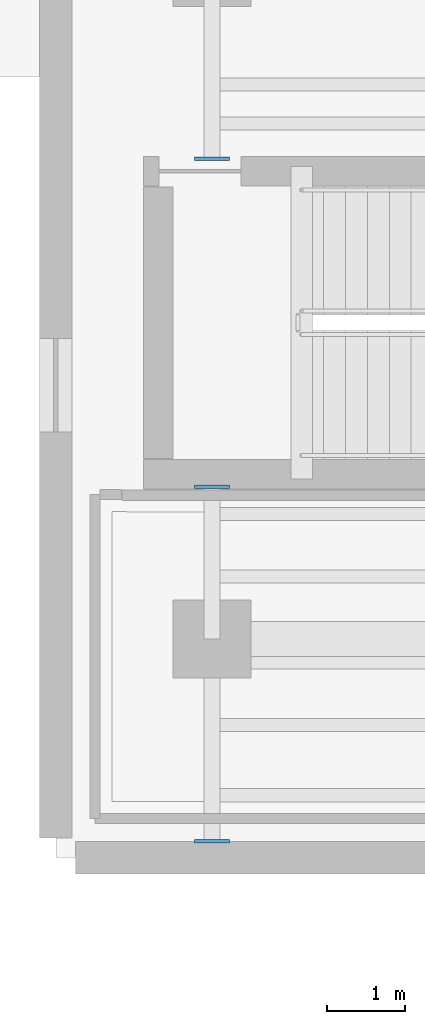
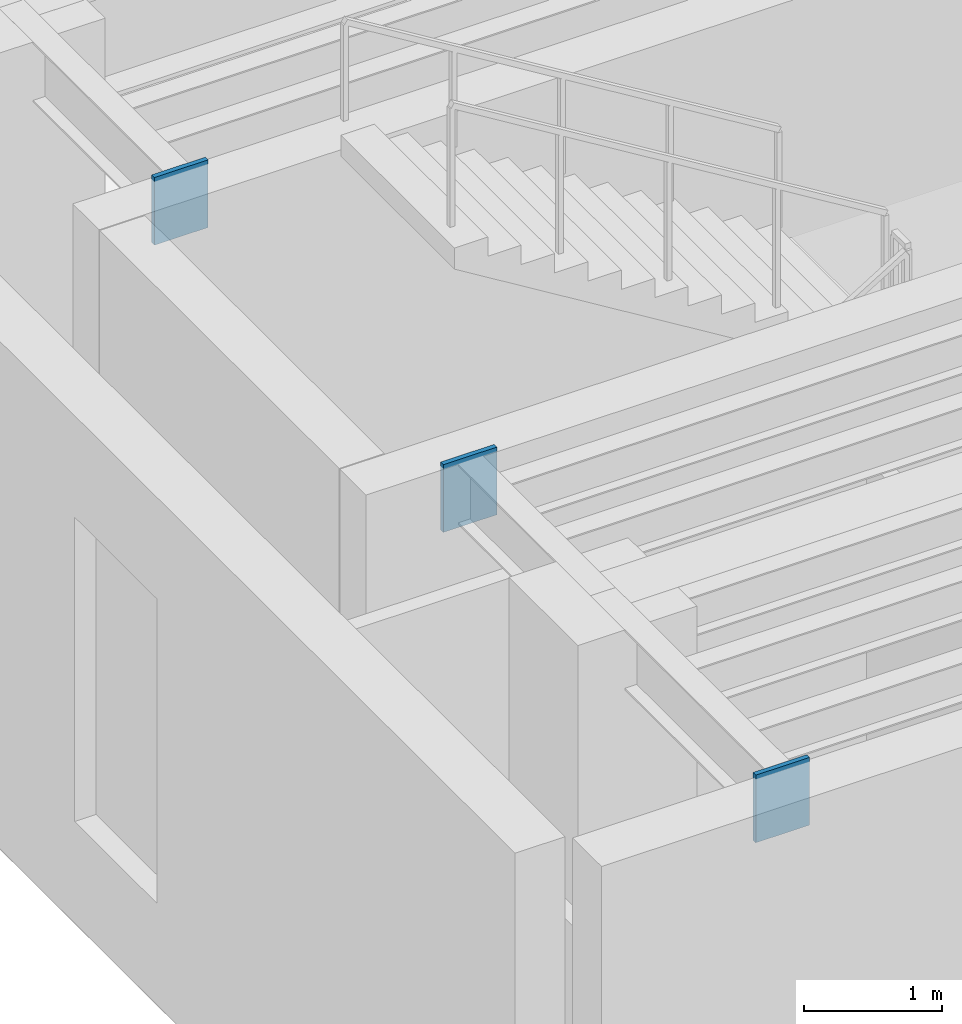
# One storey, part 12 of 24: 3 plates.
"""IFC4 building model written with IfcOpenShell, lengths in metres."""

from ifc_helpers import new_model, si_unit, direction, frame, origin, origin_2d, place, context, subcontext, project, spatial, rectangle, extrude, material, layer, layer_set, type_object, element, save


model = new_model("IFC4")

# Units and contexts
model_context = context("Model", 3, precision=1e-05, world=origin(), true_north=direction((0.0, 1.0)))
body_context = subcontext(model_context, "Body", "Model", "MODEL_VIEW")
ifc_project = project(units=[si_unit("LENGTHUNIT", "METRE"), si_unit("AREAUNIT", "SQUARE_METRE"), si_unit("VOLUMEUNIT", "CUBIC_METRE"), si_unit("PLANEANGLEUNIT", "RADIAN"), si_unit("MASSUNIT", "GRAM", prefix="KILO")], contexts=[model_context])

# Site, building, storey
site_placement = place(None, origin())
site = spatial("IfcSite", under=ifc_project, at=site_placement, CompositionType="ELEMENT")
building_placement = place(site_placement, origin())
building = spatial("IfcBuilding", under=site, at=building_placement, Name="Korentha Bioscience Tower", CompositionType="ELEMENT")
storey_placement = place(building_placement, frame((0.0, 0.0, 10.199951171875)))
storey = spatial("IfcBuildingStorey", under=building, at=storey_placement, Name="L02", CompositionType="ELEMENT", Elevation=10.199951171875)

# Plates
ifc_material = material(Name="Steel S355", Category="steel")
ifc_layer = layer(ifc_material, 0.0400390625, Name="Steel S355")
ifc_layer_set = layer_set([ifc_layer], Name="Steel S355 (EP-01)")
plate_type = type_object("IfcPlateType", Name="Cast-In Shear Wall Embed Plate 450x600x40", PredefinedType="USERDEFINED", material=ifc_layer_set)
for number, where, z_axis, x_axis, name in (
    (1, (66.5, 7.2099609375, 3.93359375), (0.0, 0.0, 1.0), (1.0, 0.0, 0.0), "L02 Collector Shear-Wall Embed Plate A-1-1"),
    (2, (66.5, 11.75, 3.93359375), (0.0, 0.0, 1.0), (1.0, 0.0, 0.0), "L02 Collector Shear-Wall Embed Plate B-1-2"),
    (3, (66.5, 15.949951171875, 3.93359375), (0.0, 0.0, 1.0), (1.0, 0.0, 0.0), "L02 Collector Shear-Wall Embed Plate A-1-3"),
):
    element("IfcPlate", number, at=place(storey_placement, frame(where, z_axis=z_axis, x_axis=x_axis)), inside=storey, type_object=plate_type, Name=name, ObjectType="BASE_PLATE", PredefinedType="USERDEFINED", context=body_context, shape_type="SweptSolid", body=[
        extrude(rectangle(XDim=0.449951171875, YDim=0.0400390625, at=origin_2d()), origin(), (0.0, 0.0, 1.0), 0.60009765625),
    ])

save(model, "model.ifc")
